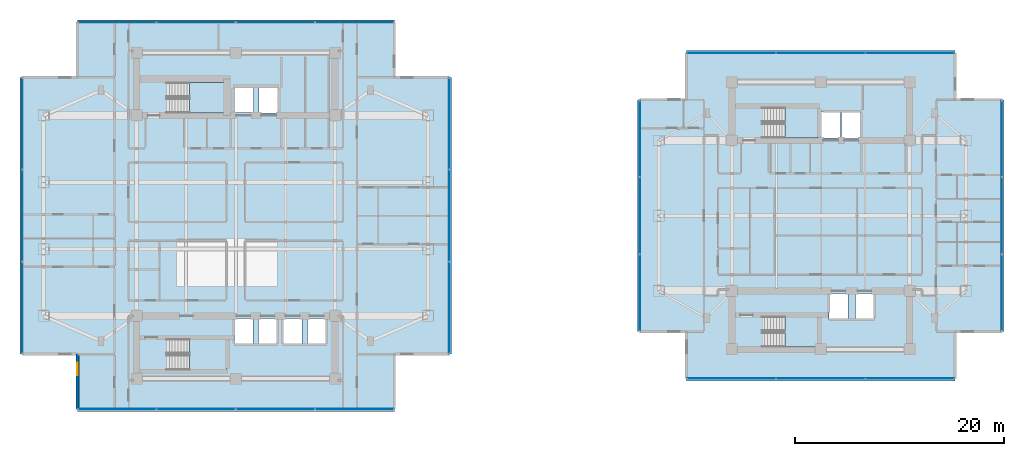
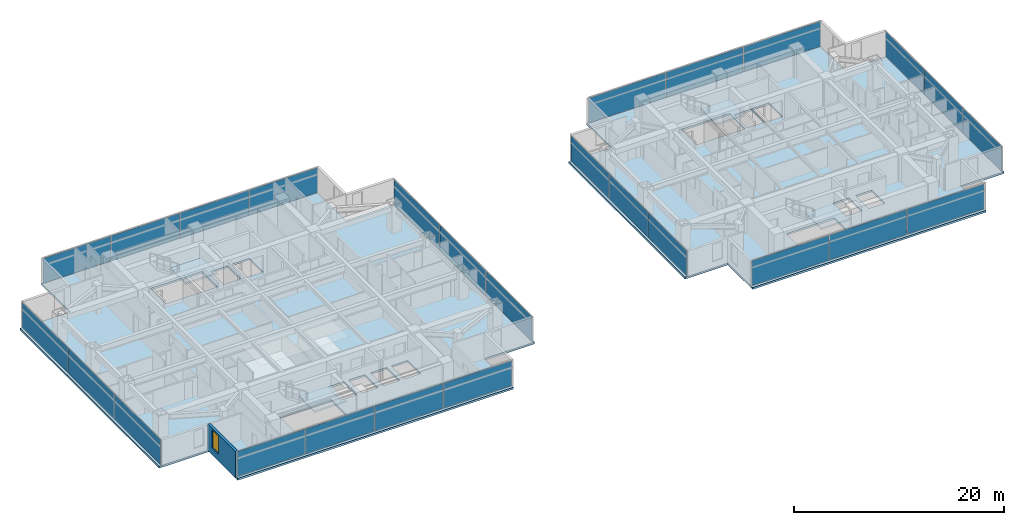
# One storey, part 13 of 27: 26 plates, 6 slabs, 1 wall, 1 window, 1 opening, 12 elements without a shape of their own.
"""IFC4 building model written with IfcOpenShell, lengths in metres."""

from ifc_helpers import new_model, si_unit, direction, frame, frame_2d, origin, origin_2d, place, context, subcontext, project, spatial, polyline, rectangle, outline, extrude, material, layer, layer_set, type_object, element, fill, aggregate, save


model = new_model("IFC4")

# Units and contexts
model_context = context("Model", 3, precision=1e-05, world=origin(), true_north=direction((0.0, 1.0)))
body_context = subcontext(model_context, "Body", "Model", "MODEL_VIEW")
ifc_project = project(units=[si_unit("LENGTHUNIT", "METRE"), si_unit("AREAUNIT", "SQUARE_METRE"), si_unit("VOLUMEUNIT", "CUBIC_METRE"), si_unit("PLANEANGLEUNIT", "RADIAN"), si_unit("MASSUNIT", "GRAM", prefix="KILO")], contexts=[model_context])

# Site, building, storey
site_placement = place(None, origin())
site = spatial("IfcSite", under=ifc_project, at=site_placement, CompositionType="ELEMENT")
building_placement = place(site_placement, origin())
building = spatial("IfcBuilding", under=site, at=building_placement, Name="Mirazonda Arch Towers", CompositionType="ELEMENT")
storey_placement = place(building_placement, frame((0.0, 0.0, 124.699951171875)))
storey = spatial("IfcBuildingStorey", under=building, at=storey_placement, Name="L35", CompositionType="ELEMENT", Elevation=124.699951171875)

# Curtain wall, plates
ifc_material_1 = material(Name="Anodised Aluminium and Low-E Glass", Category="aluminium")
curtain_wall_type = type_object("IfcCurtainWallType", Name="CW-HTL-UNIT", PredefinedType="NOTDEFINED", material=ifc_material_1)
curtain_wall_1_placement = place(storey_placement, origin())
curtain_wall_1 = element("IfcCurtainWall", 1, at=curtain_wall_1_placement, inside=storey, type_object=curtain_wall_type, Name="L35 T1 S Facade CW-L35-T1-S", PredefinedType="NOTDEFINED")
ifc_material_2 = material(Name="Insulated Low-E Solar Glass", Category="glass")
ifc_layer_1 = layer(ifc_material_2, 0.035888671875, Name="PAN-CW-HTL-UNIT")
ifc_layer_set_1 = layer_set([ifc_layer_1], Name="Insulated Low-E Solar Glass")
plate_type = type_object("IfcPlateType", Name="PAN-CW-HTL-UNIT", PredefinedType="CURTAIN_PANEL", material=ifc_layer_set_1)
plate_1_placement = place(storey_placement, frame((31.858642578125, 9.48388671875, 0.0751953125), z_axis=(0.0, 0.0, 1.0), x_axis=(-1.0, 0.0, 0.0)))
plate_1 = element("IfcPlate", 2, at=plate_1_placement, type_object=plate_type, Name="CW-112 panel 1.1", PredefinedType="CURTAIN_PANEL", context=body_context, shape_type="SweptSolid", body=[
    extrude(rectangle(XDim=7.472412109375, YDim=0.035888671875, at=origin_2d()), origin(), (0.0, 0.0, 1.0), 2.909912109375),
])
plate_2_placement = place(storey_placement, frame((24.29248046875, 9.48388671875, 0.0751953125), z_axis=(0.0, 0.0, 1.0), x_axis=(-1.0, 0.0, 0.0)))
plate_2 = element("IfcPlate", 3, at=plate_2_placement, type_object=plate_type, Name="CW-112 panel 2.1", PredefinedType="CURTAIN_PANEL", context=body_context, shape_type="SweptSolid", body=[
    extrude(rectangle(XDim=7.510009765625, YDim=0.035888671875, at=origin_2d()), origin(), (0.0, 0.0, 1.0), 2.909912109375),
])
plate_3_placement = place(storey_placement, frame((16.70751953125, 9.48388671875, 0.0751953125), z_axis=(0.0, 0.0, 1.0), x_axis=(-1.0, 0.0, 0.0)))
plate_3 = element("IfcPlate", 4, at=plate_3_placement, type_object=plate_type, Name="CW-112 panel 3.1", PredefinedType="CURTAIN_PANEL", context=body_context, shape_type="SweptSolid", body=[
    extrude(rectangle(XDim=7.510009765625, YDim=0.035888671875, at=origin_2d()), origin(), (0.0, 0.0, 1.0), 2.909912109375),
])
plate_4_placement = place(storey_placement, frame((9.141357421875, 9.48388671875, 0.0751953125), z_axis=(0.0, 0.0, 1.0), x_axis=(-1.0, 0.0, 0.0)))
plate_4 = element("IfcPlate", 5, at=plate_4_placement, type_object=plate_type, Name="CW-112 panel 4.1", PredefinedType="CURTAIN_PANEL", context=body_context, shape_type="SweptSolid", body=[
    extrude(rectangle(XDim=7.472412109375, YDim=0.035888671875, at=origin_2d()), origin(), (0.0, 0.0, 1.0), 2.909912109375),
])
aggregate(curtain_wall_1, [plate_1, plate_2, plate_3, plate_4])

curtain_wall_2_placement = place(storey_placement, origin())
curtain_wall_2 = element("IfcCurtainWall", 6, at=curtain_wall_2_placement, inside=storey, type_object=curtain_wall_type, Name="L35 T1 E Facade CW-L35-T1-E", PredefinedType="NOTDEFINED")
plate_5_placement = place(storey_placement, frame((40.93994140625, 19.18798828125, 0.0751953125), z_axis=(0.0, 0.0, 1.0), x_axis=(0.0, 1.0, 0.0)))
plate_5 = element("IfcPlate", 7, at=plate_5_placement, type_object=plate_type, Name="CW-112 panel 1.1", PredefinedType="CURTAIN_PANEL", context=body_context, shape_type="SweptSolid", body=[
    extrude(rectangle(XDim=8.71826171875, YDim=0.035888671875, at=origin_2d()), origin(), (0.0, 0.0, 1.0), 2.909912109375),
])
plate_6_placement = place(storey_placement, frame((40.93994140625, 28.0, 0.0751953125), z_axis=(0.0, 0.0, 1.0), x_axis=(0.0, 1.0, 0.0)))
plate_6 = element("IfcPlate", 8, at=plate_6_placement, type_object=plate_type, Name="CW-112 panel 2.1", PredefinedType="CURTAIN_PANEL", context=body_context, shape_type="SweptSolid", body=[
    extrude(rectangle(XDim=8.755615234375, YDim=0.035888671875, at=origin_2d()), origin(), (0.0, 0.0, 1.0), 2.909912109375),
])
plate_7_placement = place(storey_placement, frame((40.93994140625, 36.81201171875, 0.0751953125), z_axis=(0.0, 0.0, 1.0), x_axis=(0.0, 1.0, 0.0)))
plate_7 = element("IfcPlate", 9, at=plate_7_placement, type_object=plate_type, Name="CW-112 panel 3.1", PredefinedType="CURTAIN_PANEL", context=body_context, shape_type="SweptSolid", body=[
    extrude(rectangle(XDim=8.71826171875, YDim=0.035888671875, at=origin_2d()), origin(), (0.0, 0.0, 1.0), 2.909912109375),
])
aggregate(curtain_wall_2, [plate_5, plate_6, plate_7])

curtain_wall_3_placement = place(storey_placement, origin())
curtain_wall_3 = element("IfcCurtainWall", 10, at=curtain_wall_3_placement, inside=storey, type_object=curtain_wall_type, Name="L35 T1 N Facade CW-L35-T1-N", PredefinedType="NOTDEFINED")
plate_8_placement = place(storey_placement, frame((9.141357421875, 46.51611328125, 0.0751953125), z_axis=(0.0, 0.0, 1.0), x_axis=(1.0, 0.0, 0.0)))
plate_8 = element("IfcPlate", 11, at=plate_8_placement, type_object=plate_type, Name="CW-112 panel 1.1", PredefinedType="CURTAIN_PANEL", context=body_context, shape_type="SweptSolid", body=[
    extrude(rectangle(XDim=7.472412109375, YDim=0.035888671875, at=origin_2d()), origin(), (0.0, 0.0, 1.0), 2.909912109375),
])
plate_9_placement = place(storey_placement, frame((16.70751953125, 46.51611328125, 0.0751953125), z_axis=(0.0, 0.0, 1.0), x_axis=(1.0, 0.0, 0.0)))
plate_9 = element("IfcPlate", 12, at=plate_9_placement, type_object=plate_type, Name="CW-112 panel 2.1", PredefinedType="CURTAIN_PANEL", context=body_context, shape_type="SweptSolid", body=[
    extrude(rectangle(XDim=7.510009765625, YDim=0.035888671875, at=origin_2d()), origin(), (0.0, 0.0, 1.0), 2.909912109375),
])
plate_10_placement = place(storey_placement, frame((24.29248046875, 46.51611328125, 0.0751953125), z_axis=(0.0, 0.0, 1.0), x_axis=(1.0, 0.0, 0.0)))
plate_10 = element("IfcPlate", 13, at=plate_10_placement, type_object=plate_type, Name="CW-112 panel 3.1", PredefinedType="CURTAIN_PANEL", context=body_context, shape_type="SweptSolid", body=[
    extrude(rectangle(XDim=7.510009765625, YDim=0.035888671875, at=origin_2d()), origin(), (0.0, 0.0, 1.0), 2.909912109375),
])
plate_11_placement = place(storey_placement, frame((31.858642578125, 46.51611328125, 0.0751953125), z_axis=(0.0, 0.0, 1.0), x_axis=(1.0, 0.0, 0.0)))
plate_11 = element("IfcPlate", 14, at=plate_11_placement, type_object=plate_type, Name="CW-112 panel 4.1", PredefinedType="CURTAIN_PANEL", context=body_context, shape_type="SweptSolid", body=[
    extrude(rectangle(XDim=7.472412109375, YDim=0.035888671875, at=origin_2d()), origin(), (0.0, 0.0, 1.0), 2.909912109375),
])
aggregate(curtain_wall_3, [plate_8, plate_9, plate_10, plate_11])

curtain_wall_4_placement = place(storey_placement, origin())
curtain_wall_4 = element("IfcCurtainWall", 15, at=curtain_wall_4_placement, inside=storey, type_object=curtain_wall_type, Name="L35 T1 W Facade CW-L35-T1-W", PredefinedType="NOTDEFINED")
plate_12_placement = place(storey_placement, frame((0.06005859375, 36.81201171875, 0.0751953125), z_axis=(0.0, 0.0, 1.0), x_axis=(0.0, -1.0, 0.0)))
plate_12 = element("IfcPlate", 16, at=plate_12_placement, type_object=plate_type, Name="CW-112 panel 1.1", PredefinedType="CURTAIN_PANEL", context=body_context, shape_type="SweptSolid", body=[
    extrude(rectangle(XDim=8.71826171875, YDim=0.035888671875, at=origin_2d()), origin(), (0.0, 0.0, 1.0), 2.909912109375),
])
plate_13_placement = place(storey_placement, frame((0.06005859375, 28.0, 0.0751953125), z_axis=(0.0, 0.0, 1.0), x_axis=(0.0, -1.0, 0.0)))
plate_13 = element("IfcPlate", 17, at=plate_13_placement, type_object=plate_type, Name="CW-112 panel 2.1", PredefinedType="CURTAIN_PANEL", context=body_context, shape_type="SweptSolid", body=[
    extrude(rectangle(XDim=8.755615234375, YDim=0.035888671875, at=origin_2d()), origin(), (0.0, 0.0, 1.0), 2.909912109375),
])
plate_14_placement = place(storey_placement, frame((0.06005859375, 19.18798828125, 0.0751953125), z_axis=(0.0, 0.0, 1.0), x_axis=(0.0, -1.0, 0.0)))
plate_14 = element("IfcPlate", 18, at=plate_14_placement, type_object=plate_type, Name="CW-112 panel 3.1", PredefinedType="CURTAIN_PANEL", context=body_context, shape_type="SweptSolid", body=[
    extrude(rectangle(XDim=8.71826171875, YDim=0.035888671875, at=origin_2d()), origin(), (0.0, 0.0, 1.0), 2.909912109375),
])
aggregate(curtain_wall_4, [plate_12, plate_13, plate_14])

curtain_wall_5_placement = place(storey_placement, origin())
curtain_wall_5 = element("IfcCurtainWall", 19, at=curtain_wall_5_placement, inside=storey, type_object=curtain_wall_type, Name="L35 T2 S Facade CW-L35-T2-S", PredefinedType="NOTDEFINED")
plate_15_placement = place(storey_placement, frame((85.03759765625, 12.414306640625, 0.0751953125), z_axis=(0.0, 0.0, 1.0), x_axis=(-1.0, 0.0, 0.0)))
plate_15 = element("IfcPlate", 20, at=plate_15_placement, type_object=plate_type, Name="CW-112 panel 1.1", PredefinedType="CURTAIN_PANEL", context=body_context, shape_type="SweptSolid", body=[
    extrude(rectangle(XDim=8.44384765625, YDim=0.035888671875, at=origin_2d()), origin(), (0.0, 0.0, 1.0), 2.909912109375),
])
plate_16_placement = place(storey_placement, frame((76.5, 12.414306640625, 0.0751953125), z_axis=(0.0, 0.0, 1.0), x_axis=(-1.0, 0.0, 0.0)))
plate_16 = element("IfcPlate", 21, at=plate_16_placement, type_object=plate_type, Name="CW-112 panel 2.1", PredefinedType="CURTAIN_PANEL", context=body_context, shape_type="SweptSolid", body=[
    extrude(rectangle(XDim=8.4814453125, YDim=0.035888671875, at=origin_2d()), origin(), (0.0, 0.0, 1.0), 2.909912109375),
])
plate_17_placement = place(storey_placement, frame((67.96240234375, 12.414306640625, 0.0751953125), z_axis=(0.0, 0.0, 1.0), x_axis=(-1.0, 0.0, 0.0)))
plate_17 = element("IfcPlate", 22, at=plate_17_placement, type_object=plate_type, Name="CW-112 panel 3.1", PredefinedType="CURTAIN_PANEL", context=body_context, shape_type="SweptSolid", body=[
    extrude(rectangle(XDim=8.44384765625, YDim=0.035888671875, at=origin_2d()), origin(), (0.0, 0.0, 1.0), 2.909912109375),
])
aggregate(curtain_wall_5, [plate_15, plate_16, plate_17])

curtain_wall_6_placement = place(storey_placement, origin())
curtain_wall_6 = element("IfcCurtainWall", 23, at=curtain_wall_6_placement, inside=storey, type_object=curtain_wall_type, Name="L35 T2 E Facade CW-L35-T2-E", PredefinedType="NOTDEFINED")
plate_18_placement = place(storey_placement, frame((93.821044921875, 20.619384765625, 0.0751953125), z_axis=(0.0, 0.0, 1.0), x_axis=(0.0, 1.0, 0.0)))
plate_18 = element("IfcPlate", 24, at=plate_18_placement, type_object=plate_type, Name="CW-112 panel 1.1", PredefinedType="CURTAIN_PANEL", context=body_context, shape_type="SweptSolid", body=[
    extrude(rectangle(XDim=7.286865234375, YDim=0.035888671875, at=origin_2d()), origin(), (0.0, 0.0, 1.0), 2.909912109375),
])
plate_19_placement = place(storey_placement, frame((93.821044921875, 28.0, 0.0751953125), z_axis=(0.0, 0.0, 1.0), x_axis=(0.0, 1.0, 0.0)))
plate_19 = element("IfcPlate", 25, at=plate_19_placement, type_object=plate_type, Name="CW-112 panel 2.1", PredefinedType="CURTAIN_PANEL", context=body_context, shape_type="SweptSolid", body=[
    extrude(rectangle(XDim=7.324462890625, YDim=0.035888671875, at=origin_2d()), origin(), (0.0, 0.0, 1.0), 2.909912109375),
])
plate_20_placement = place(storey_placement, frame((93.821044921875, 35.380615234375, 0.0751953125), z_axis=(0.0, 0.0, 1.0), x_axis=(0.0, 1.0, 0.0)))
plate_20 = element("IfcPlate", 26, at=plate_20_placement, type_object=plate_type, Name="CW-112 panel 3.1", PredefinedType="CURTAIN_PANEL", context=body_context, shape_type="SweptSolid", body=[
    extrude(rectangle(XDim=7.286865234375, YDim=0.035888671875, at=origin_2d()), origin(), (0.0, 0.0, 1.0), 2.909912109375),
])
aggregate(curtain_wall_6, [plate_18, plate_19, plate_20])

curtain_wall_7_placement = place(storey_placement, origin())
curtain_wall_7 = element("IfcCurtainWall", 27, at=curtain_wall_7_placement, inside=storey, type_object=curtain_wall_type, Name="L35 T2 N Facade CW-L35-T2-N", PredefinedType="NOTDEFINED")
plate_21_placement = place(storey_placement, frame((67.96240234375, 43.585693359375, 0.0751953125), z_axis=(0.0, 0.0, 1.0), x_axis=(1.0, 0.0, 0.0)))
plate_21 = element("IfcPlate", 28, at=plate_21_placement, type_object=plate_type, Name="CW-112 panel 1.1", PredefinedType="CURTAIN_PANEL", context=body_context, shape_type="SweptSolid", body=[
    extrude(rectangle(XDim=8.44384765625, YDim=0.035888671875, at=origin_2d()), origin(), (0.0, 0.0, 1.0), 2.909912109375),
])
plate_22_placement = place(storey_placement, frame((76.5, 43.585693359375, 0.0751953125), z_axis=(0.0, 0.0, 1.0), x_axis=(1.0, 0.0, 0.0)))
plate_22 = element("IfcPlate", 29, at=plate_22_placement, type_object=plate_type, Name="CW-112 panel 2.1", PredefinedType="CURTAIN_PANEL", context=body_context, shape_type="SweptSolid", body=[
    extrude(rectangle(XDim=8.4814453125, YDim=0.035888671875, at=origin_2d()), origin(), (0.0, 0.0, 1.0), 2.909912109375),
])
plate_23_placement = place(storey_placement, frame((85.03759765625, 43.585693359375, 0.0751953125), z_axis=(0.0, 0.0, 1.0), x_axis=(1.0, 0.0, 0.0)))
plate_23 = element("IfcPlate", 30, at=plate_23_placement, type_object=plate_type, Name="CW-112 panel 3.1", PredefinedType="CURTAIN_PANEL", context=body_context, shape_type="SweptSolid", body=[
    extrude(rectangle(XDim=8.44384765625, YDim=0.035888671875, at=origin_2d()), origin(), (0.0, 0.0, 1.0), 2.909912109375),
])
aggregate(curtain_wall_7, [plate_21, plate_22, plate_23])

curtain_wall_8_placement = place(storey_placement, origin())
curtain_wall_8 = element("IfcCurtainWall", 31, at=curtain_wall_8_placement, inside=storey, type_object=curtain_wall_type, Name="L35 T2 W Facade CW-L35-T2-W", PredefinedType="NOTDEFINED")
plate_24_placement = place(storey_placement, frame((59.178955078125, 35.380615234375, 0.0751953125), z_axis=(0.0, 0.0, 1.0), x_axis=(0.0, -1.0, 0.0)))
plate_24 = element("IfcPlate", 32, at=plate_24_placement, type_object=plate_type, Name="CW-112 panel 1.1", PredefinedType="CURTAIN_PANEL", context=body_context, shape_type="SweptSolid", body=[
    extrude(rectangle(XDim=7.286865234375, YDim=0.035888671875, at=origin_2d()), origin(), (0.0, 0.0, 1.0), 2.909912109375),
])
plate_25_placement = place(storey_placement, frame((59.178955078125, 28.0, 0.0751953125), z_axis=(0.0, 0.0, 1.0), x_axis=(0.0, -1.0, 0.0)))
plate_25 = element("IfcPlate", 33, at=plate_25_placement, type_object=plate_type, Name="CW-112 panel 2.1", PredefinedType="CURTAIN_PANEL", context=body_context, shape_type="SweptSolid", body=[
    extrude(rectangle(XDim=7.324462890625, YDim=0.035888671875, at=origin_2d()), origin(), (0.0, 0.0, 1.0), 2.909912109375),
])
plate_26_placement = place(storey_placement, frame((59.178955078125, 20.619384765625, 0.0751953125), z_axis=(0.0, 0.0, 1.0), x_axis=(0.0, -1.0, 0.0)))
plate_26 = element("IfcPlate", 34, at=plate_26_placement, type_object=plate_type, Name="CW-112 panel 3.1", PredefinedType="CURTAIN_PANEL", context=body_context, shape_type="SweptSolid", body=[
    extrude(rectangle(XDim=7.286865234375, YDim=0.035888671875, at=origin_2d()), origin(), (0.0, 0.0, 1.0), 2.909912109375),
])
aggregate(curtain_wall_8, [plate_24, plate_25, plate_26])

# Stair, slab
ifc_material_3 = material(Name="Concrete C40/50", Category="concrete")
stair_type = type_object("IfcStairType", Name="STAIR-CORE-1400", PredefinedType="HALF_TURN_STAIR", material=ifc_material_3)
stair_1_placement = place(storey_placement, origin())
stair_1 = element("IfcStair", 35, at=stair_1_placement, inside=storey, type_object=stair_type, Name="L35 Protected Exit Stair ST-T1N", PredefinedType="HALF_TURN_STAIR")
ifc_layer_2 = layer(ifc_material_3, 0.18994140625, Name="SLAB-LANDING-190")
ifc_layer_set_2 = layer_set([ifc_layer_2], Name="Concrete C40/50")
slab_type_1 = type_object("IfcSlabType", Name="SLAB-LANDING-190", PredefinedType="LANDING", material=ifc_layer_set_2)
slab_1_placement = place(storey_placement, frame((0.0, 0.0, 1.449951171875)))
slab_1 = element("IfcSlab", 36, at=slab_1_placement, type_object=slab_type_1, Name="ST-T1N landing 1", PredefinedType="LANDING", context=body_context, shape_type="SweptSolid", body=[
    extrude(outline(polyline([(16.090087890625, 37.820068359375), (19.60009765625, 37.820068359375), (19.60009765625, 40.760009765625), (16.090087890625, 40.760009765625), (16.090087890625, 37.820068359375)])), origin(), (0.0, 0.0, 1.0), 0.2001953125),
])
aggregate(stair_1, [slab_1])

stair_2_placement = place(storey_placement, origin())
stair_2 = element("IfcStair", 37, at=stair_2_placement, inside=storey, type_object=stair_type, Name="L35 Protected Exit Stair ST-T1S", PredefinedType="HALF_TURN_STAIR")
slab_2_placement = place(storey_placement, frame((0.0, 0.0, 1.449951171875)))
slab_2 = element("IfcSlab", 38, at=slab_2_placement, type_object=slab_type_1, Name="ST-T1S landing 1", PredefinedType="LANDING", context=body_context, shape_type="SweptSolid", body=[
    extrude(outline(polyline([(16.090087890625, 13.25), (19.60009765625, 13.25), (19.60009765625, 16.18994140625), (16.090087890625, 16.18994140625), (16.090087890625, 13.25)])), origin(), (0.0, 0.0, 1.0), 0.2001953125),
])
aggregate(stair_2, [slab_2])

stair_3_placement = place(storey_placement, origin())
stair_3 = element("IfcStair", 39, at=stair_3_placement, inside=storey, type_object=stair_type, Name="L35 Protected Exit Stair ST-T2N", PredefinedType="HALF_TURN_STAIR")
slab_3_placement = place(storey_placement, frame((0.0, 0.0, 1.449951171875)))
slab_3 = element("IfcSlab", 40, at=slab_3_placement, type_object=slab_type_1, Name="ST-T2N landing 1", PredefinedType="LANDING", context=body_context, shape_type="SweptSolid", body=[
    extrude(outline(polyline([(73.090087890625, 35.419921875), (76.22998046875, 35.419921875), (76.22998046875, 38.360107421875), (73.090087890625, 38.360107421875), (73.090087890625, 35.419921875)])), origin(), (0.0, 0.0, 1.0), 0.2001953125),
])
aggregate(stair_3, [slab_3])

stair_4_placement = place(storey_placement, origin())
stair_4 = element("IfcStair", 41, at=stair_4_placement, inside=storey, type_object=stair_type, Name="L35 Protected Exit Stair ST-T2S", PredefinedType="HALF_TURN_STAIR")
slab_4_placement = place(storey_placement, frame((0.0, 0.0, 1.449951171875)))
slab_4 = element("IfcSlab", 42, at=slab_4_placement, type_object=slab_type_1, Name="ST-T2S landing 1", PredefinedType="LANDING", context=body_context, shape_type="SweptSolid", body=[
    extrude(outline(polyline([(73.090087890625, 15.419921875), (76.22998046875, 15.419921875), (76.22998046875, 18.360107421875), (73.090087890625, 18.360107421875), (73.090087890625, 15.419921875)])), origin(), (0.0, 0.0, 1.0), 0.2001953125),
])
aggregate(stair_4, [slab_4])

# Slabs
ifc_layer_3 = layer(ifc_material_3, 0.219970703125, Name="SLAB-TWR-220")
ifc_layer_set_3 = layer_set([ifc_layer_3], Name="Concrete C40/50")
slab_type_2 = type_object("IfcSlabType", Name="SLAB-TWR-220", PredefinedType="FLOOR", material=ifc_layer_set_3)
slab_5_placement = place(storey_placement, frame((0.0, 0.0, -0.219970703125)))
element("IfcSlab", 43, at=slab_5_placement, inside=storey, type_object=slab_type_2, Name="L35 Tower 1 Floor Slab", PredefinedType="FLOOR", context=body_context, shape_type="SweptSolid", body=[
    extrude(outline(polyline([(5.330078125, 9.263916015625), (35.669921875, 9.263916015625), (35.669921875, 14.75390625), (41.159912109375, 14.75390625), (41.159912109375, 41.24609375), (35.669921875, 41.24609375), (35.669921875, 46.736083984375), (5.330078125, 46.736083984375), (5.330078125, 41.24609375), (-0.159912109375, 41.24609375), (-0.159912109375, 14.75390625), (5.330078125, 14.75390625), (5.330078125, 9.263916015625)]), holes=[polyline([(27.360107421875, 18.139892578125), (29.139892578125, 18.139892578125), (29.139892578125, 15.659912109375), (27.360107421875, 15.659912109375), (27.360107421875, 18.139892578125)]), polyline([(25.06005859375, 18.139892578125), (26.840087890625, 18.139892578125), (26.840087890625, 15.659912109375), (25.06005859375, 15.659912109375), (25.06005859375, 18.139892578125)]), polyline([(22.7099609375, 40.389892578125), (24.590087890625, 40.389892578125), (24.590087890625, 37.81005859375), (22.7099609375, 37.81005859375), (22.7099609375, 40.389892578125)]), polyline([(22.659912109375, 18.139892578125), (24.43994140625, 18.139892578125), (24.43994140625, 15.659912109375), (22.659912109375, 15.659912109375), (22.659912109375, 18.139892578125)]), polyline([(20.31005859375, 40.340087890625), (22.18994140625, 40.340087890625), (22.18994140625, 37.860107421875), (20.31005859375, 37.860107421875), (20.31005859375, 40.340087890625)]), polyline([(20.360107421875, 18.139892578125), (22.139892578125, 18.139892578125), (22.139892578125, 15.659912109375), (20.360107421875, 15.659912109375), (20.360107421875, 18.139892578125)]), polyline([(13.925048828125, 13.25), (13.925048828125, 16.18994140625), (19.60009765625, 16.18994140625), (19.60009765625, 13.25), (13.925048828125, 13.25)]), polyline([(13.925048828125, 37.820068359375), (13.925048828125, 40.760009765625), (19.60009765625, 40.760009765625), (19.60009765625, 37.820068359375), (13.925048828125, 37.820068359375)])]), origin(), (0.0, 0.0, 1.0), 0.219970703125),
])
slab_6_placement = place(storey_placement, frame((0.0, 0.0, -0.219970703125)))
element("IfcSlab", 44, at=slab_6_placement, inside=storey, type_object=slab_type_2, Name="L35 Tower 2 Floor Slab", PredefinedType="FLOOR", context=body_context, shape_type="SweptSolid", body=[
    extrude(outline(polyline([(63.66552734375, 12.1943359375), (89.33447265625, 12.1943359375), (89.33447265625, 16.90087890625), (94.041015625, 16.90087890625), (94.041015625, 39.09912109375), (89.33447265625, 39.09912109375), (89.33447265625, 43.8056640625), (63.66552734375, 43.8056640625), (63.66552734375, 39.09912109375), (58.958984375, 39.09912109375), (58.958984375, 16.90087890625), (63.66552734375, 16.90087890625), (63.66552734375, 12.1943359375)]), holes=[polyline([(79.81005859375, 20.5400390625), (81.590087890625, 20.5400390625), (81.590087890625, 18.06005859375), (79.81005859375, 18.06005859375), (79.81005859375, 20.5400390625)]), polyline([(78.47998046875, 37.989990234375), (80.360107421875, 37.989990234375), (80.360107421875, 35.409912109375), (78.47998046875, 35.409912109375), (78.47998046875, 37.989990234375)]), polyline([(77.31005859375, 20.5400390625), (79.090087890625, 20.5400390625), (79.090087890625, 18.06005859375), (77.31005859375, 18.06005859375), (77.31005859375, 20.5400390625)]), polyline([(76.510009765625, 35.4599609375), (76.510009765625, 37.93994140625), (78.389892578125, 37.93994140625), (78.389892578125, 35.4599609375), (76.510009765625, 35.4599609375)]), polyline([(76.22998046875, 15.419921875), (70.925048828125, 15.419921875), (70.925048828125, 18.360107421875), (76.22998046875, 18.360107421875), (76.22998046875, 15.419921875)]), polyline([(70.925048828125, 35.419921875), (70.925048828125, 38.360107421875), (76.22998046875, 38.360107421875), (76.22998046875, 35.419921875), (70.925048828125, 35.419921875)])]), origin(), (0.0, 0.0, 1.0), 0.219970703125),
])

# Wall, opening, window
ifc_material_4 = material(Name="Precast Concrete C40/50", Category="concrete")
ifc_layer_4 = layer(ifc_material_4, 0.280029296875, Name="WALL-EXT-WALL-280")
ifc_layer_set_4 = layer_set([ifc_layer_4], Name="Precast Concrete C40/50")
wall_type = type_object("IfcWallType", Name="WALL-EXT-WALL-280", PredefinedType="SOLIDWALL", material=ifc_layer_set_4)
wall_placement = place(storey_placement, frame((5.330078125, 14.75390625, 0.0), z_axis=(0.0, 0.0, 1.0), x_axis=(0.0, -1.0, 0.0)))
wall = element("IfcWall", 45, at=wall_placement, inside=storey, type_object=wall_type, Name="L35 T1 Notched SW Corner Wall WL-L35-T1-CSW", PredefinedType="SOLIDWALL", context=body_context, shape_type="SweptSolid", body=[
    extrude(rectangle(XDim=5.27001953125, YDim=0.280029296875, at=frame_2d((2.635009765625, 0.0))), origin(), (0.0, 0.0, 1.0), 3.06005859375),
])
opening_placement = place(wall_placement, frame((0.85009765625, 0.0, 0.81005859375)))
opening = element("IfcOpeningElement", 46, at=opening_placement, cuts=wall, Name="Opening WN-122", PredefinedType="OPENING", context=body_context, shape_type="SweptSolid", body=[
    extrude(rectangle(XDim=1.199951171875, YDim=2.10009765625, at=frame_2d((0.60009765625, 1.050048828125))), frame((0.0, 0.14990234375, 0.0), z_axis=(0.0, -1.0, 0.0), x_axis=(1.0, 0.0, 0.0)), (0.0, 0.0, 1.0), 0.300048828125),
])
window_type = type_object("IfcWindowType", Name="WIN-HTL-1200x2100", PartitioningType="SINGLE_PANEL", PredefinedType="WINDOW", material=ifc_material_2)
window_placement = place(opening_placement, origin())
window = element("IfcWindow", 47, at=window_placement, inside=storey, type_object=window_type, Name="L35 Punched Facade Window WN-L35-T1-CSW", OverallHeight=2.10009765625, OverallWidth=1.199951171875, PartitioningType="SINGLE_PANEL", PredefinedType="WINDOW", context=body_context, shape_type="SweptSolid", body=[
    extrude(rectangle(XDim=1.199951171875, YDim=2.10009765625, at=frame_2d((0.60009765625, 1.050048828125))), frame((0.0, 0.030029296875, 0.0), z_axis=(0.0, -1.0, 0.0), x_axis=(1.0, 0.0, 0.0)), (0.0, 0.0, 1.0), 0.06005859375),
])
fill(opening, window)

save(model, "model.ifc")
